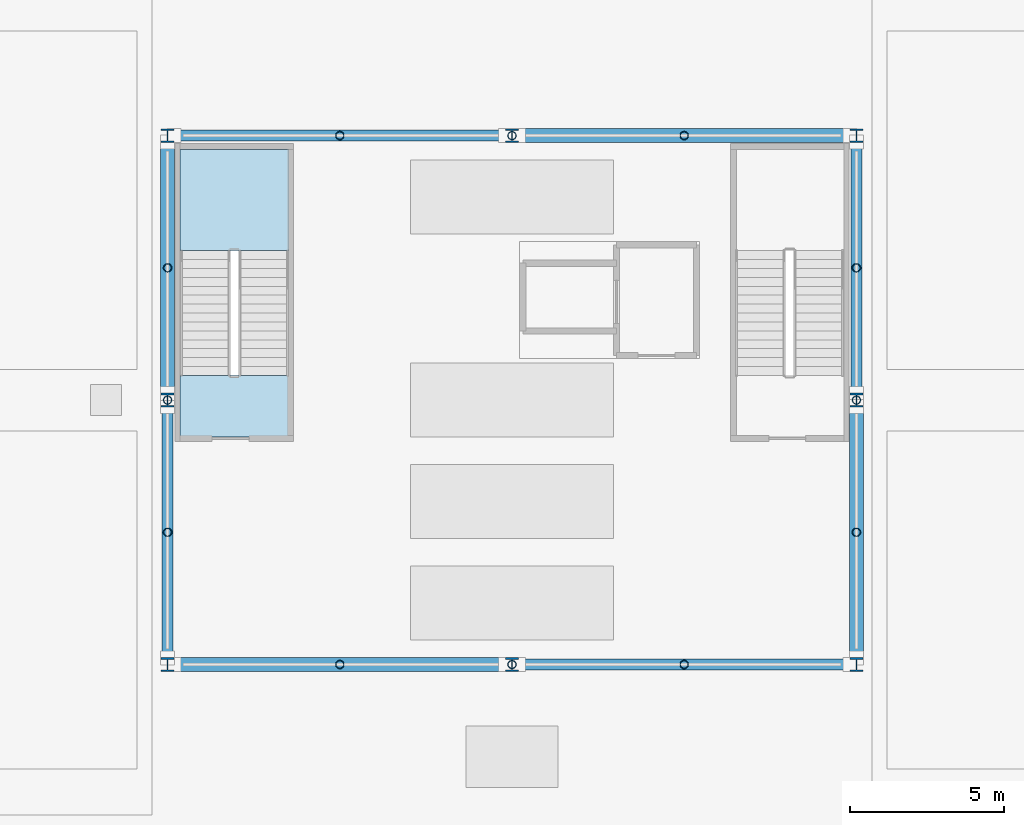
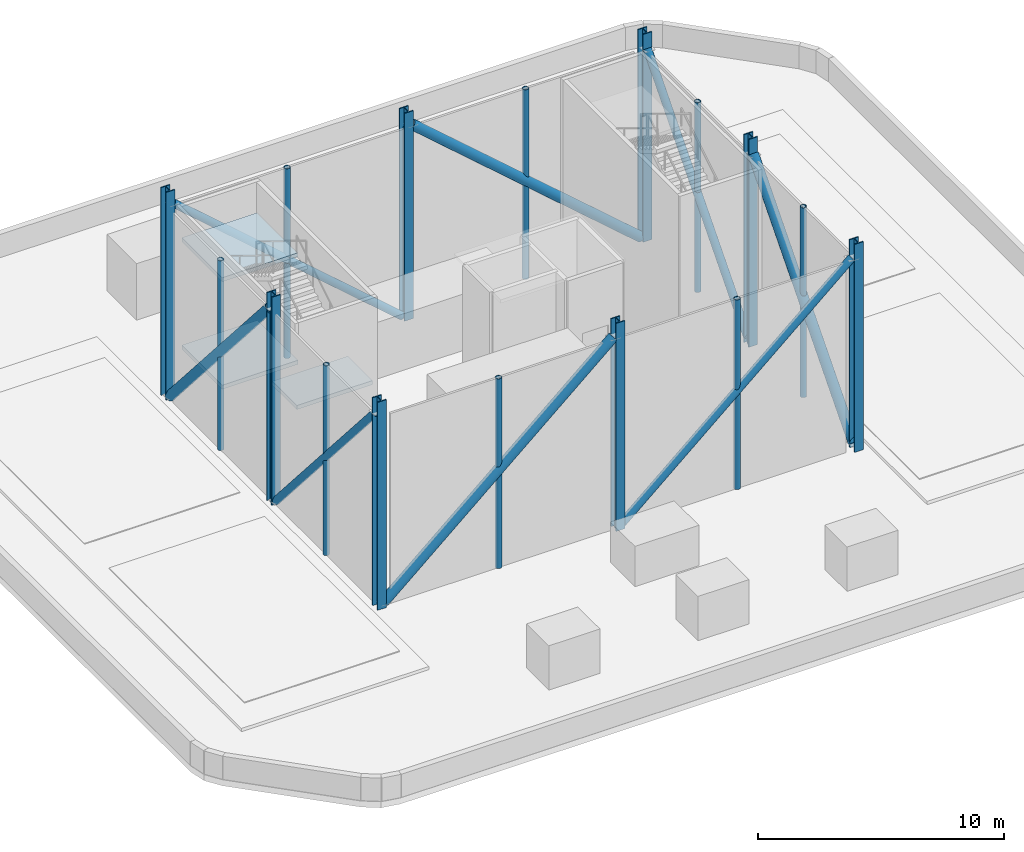
# One storey, part 1 of 6: 20 members, 8 columns, 3 slabs, 1 element without a shape of its own.
"""IFC4 building model written with IfcOpenShell, lengths in metres."""

from ifc_helpers import new_model, si_unit, derived_unit, direction, frame, origin, origin_2d, place, context, subcontext, project, spatial, polyline, hollow_circle, i_section, outline, extrude, material, layer, layer_set, material_profile, profile_set, type_object, element, aggregate, save


model = new_model("IFC4")

# Units and contexts
model_context = context("Model", 3, precision=1e-05, world=origin(), true_north=direction((0.0, 1.0)))
body_context = subcontext(model_context, "Body", "Model", "MODEL_VIEW")
ifc_project = project(units=[si_unit("LENGTHUNIT", "METRE"), si_unit("AREAUNIT", "SQUARE_METRE"), si_unit("VOLUMEUNIT", "CUBIC_METRE"), si_unit("PLANEANGLEUNIT", "RADIAN"), si_unit("MASSUNIT", "GRAM", prefix="KILO"), derived_unit("THERMALTRANSMITTANCEUNIT", [(si_unit("POWERUNIT", "WATT"), 1), (si_unit("LENGTHUNIT", "METRE"), -2), (si_unit("THERMODYNAMICTEMPERATUREUNIT", "KELVIN"), -1)])], contexts=[model_context])

# Site, building, storey
site_placement = place(None, origin())
site = spatial("IfcSite", under=ifc_project, at=site_placement, CompositionType="ELEMENT")
building_placement = place(site_placement, origin())
building = spatial("IfcBuilding", under=site, at=building_placement, Name="Koralith Skygarden Medical Center", CompositionType="ELEMENT")
storey_placement = place(building_placement, frame((0.0, 0.0, 298.97998046875)))
storey = spatial("IfcBuildingStorey", under=building, at=storey_placement, Name="RF", CompositionType="ELEMENT", Elevation=298.97998046875)

# Columns
ifc_material_1 = material(Name="Steel ASTM A992 Grade 50", Category="steel")
ifc_material_profile_1 = material_profile(ifc_material_1, i_section(OverallWidth=0.416015625, OverallDepth=0.446044921875, WebThickness=0.031982421875, FlangeThickness=0.052001953125, at=origin_2d()), Name="W14X342")
ifc_profile_set_1 = profile_set([ifc_material_profile_1], Name="Steel ASTM A992 Grade 50")
column_type = type_object("IfcColumnType", Name="Helipad Frame Column A992 W14X342", PredefinedType="COLUMN", material=ifc_profile_set_1)
for number, where, z_axis, x_axis, name in (
    (1, (25.800048828125, 17.300048828125, 0.0), (0.0, 0.0, 1.0), (1.0, 0.0, 0.0), "RF Core Column CC-01"),
    (2, (37.0, 17.300048828125, 0.0), (0.0, 0.0, 1.0), (1.0, 0.0, 0.0), "RF Core Column CC-02"),
    (3, (48.199951171875, 17.300048828125, 0.0), (0.0, 0.0, 1.0), (1.0, 0.0, 0.0), "RF Core Column CC-03"),
    (4, (48.199951171875, 25.89990234375, 0.0), (0.0, 0.0, 1.0), (1.0, 0.0, 0.0), "RF Core Column CC-04"),
    (5, (48.199951171875, 34.5, 0.0), (0.0, 0.0, 1.0), (1.0, 0.0, 0.0), "RF Core Column CC-05"),
    (6, (37.0, 34.5, 0.0), (0.0, 0.0, 1.0), (1.0, 0.0, 0.0), "RF Core Column CC-06"),
    (7, (25.800048828125, 34.5, 0.0), (0.0, 0.0, 1.0), (1.0, 0.0, 0.0), "RF Core Column CC-07"),
    (8, (25.800048828125, 25.89990234375, 0.0), (0.0, 0.0, 1.0), (1.0, 0.0, 0.0), "RF Core Column CC-08"),
):
    element("IfcColumn", number, at=place(storey_placement, frame(where, z_axis=z_axis, x_axis=x_axis)), inside=storey, type_object=column_type, Name=name, PredefinedType="COLUMN", context=body_context, shape_type="SweptSolid", body=[
        extrude(i_section(OverallWidth=0.416015625, OverallDepth=0.446044921875, WebThickness=0.031982421875, FlangeThickness=0.052001953125, at=origin_2d()), origin(), (0.0, 0.0, 1.0), 10.320068359375),
    ])

# Members
ifc_material_2 = material(Name="Steel ASTM A500 Grade C", Category="steel")
ifc_material_profile_2 = material_profile(ifc_material_2, hollow_circle(Radius=0.136474609375, WallThickness=0.013916015625, at=origin_2d()), Name="CHS273X14")
ifc_profile_set_2 = profile_set([ifc_material_profile_2], Name="Steel ASTM A500 Grade C")
member_type_1 = type_object("IfcMemberType", Name="Crown Screen Structural Post CHS273X14", PredefinedType="POST", material=ifc_profile_set_2)
for number, where, z_axis, x_axis, name in (
    (9, (31.39990234375, 17.300048828125, 0.0), (0.0, 0.0, 1.0), (1.0, 0.0, 0.0), "RF Crown Screen Post S-1"),
    (10, (37.0, 17.300048828125, 0.0), (0.0, 0.0, 1.0), (1.0, 0.0, 0.0), "RF Crown Screen Post S-2"),
    (11, (42.60009765625, 17.300048828125, 0.0), (0.0, 0.0, 1.0), (1.0, 0.0, 0.0), "RF Crown Screen Post S-3"),
    (12, (31.39990234375, 34.5, 0.0), (0.0, 0.0, 1.0), (1.0, 0.0, 0.0), "RF Crown Screen Post N-1"),
    (13, (37.0, 34.5, 0.0), (0.0, 0.0, 1.0), (1.0, 0.0, 0.0), "RF Crown Screen Post N-2"),
    (14, (42.60009765625, 34.5, 0.0), (0.0, 0.0, 1.0), (1.0, 0.0, 0.0), "RF Crown Screen Post N-3"),
    (15, (25.800048828125, 21.60009765625, 0.0), (0.0, 0.0, 1.0), (1.0, 0.0, 0.0), "RF Crown Screen Post W-1"),
    (16, (25.800048828125, 25.89990234375, 0.0), (0.0, 0.0, 1.0), (1.0, 0.0, 0.0), "RF Crown Screen Post W-2"),
    (17, (25.800048828125, 30.199951171875, 0.0), (0.0, 0.0, 1.0), (1.0, 0.0, 0.0), "RF Crown Screen Post W-3"),
    (18, (48.199951171875, 21.60009765625, 0.0), (0.0, 0.0, 1.0), (1.0, 0.0, 0.0), "RF Crown Screen Post E-1"),
    (19, (48.199951171875, 25.89990234375, 0.0), (0.0, 0.0, 1.0), (1.0, 0.0, 0.0), "RF Crown Screen Post E-2"),
    (20, (48.199951171875, 30.199951171875, 0.0), (0.0, 0.0, 1.0), (1.0, 0.0, 0.0), "RF Crown Screen Post E-3"),
):
    element("IfcMember", number, at=place(storey_placement, frame(where, z_axis=z_axis, x_axis=x_axis)), inside=storey, type_object=member_type_1, Name=name, PredefinedType="POST", context=body_context, shape_type="SweptSolid", body=[
        extrude(hollow_circle(Radius=0.136474609375, WallThickness=0.013916015625, at=origin_2d()), origin(), (0.0, 0.0, 1.0), 9.419921875),
    ])
ifc_material_profile_3 = material_profile(ifc_material_2, hollow_circle(Radius=0.228515625, WallThickness=0.02001953125, at=origin_2d()), Name="CHS457X20")
ifc_profile_set_3 = profile_set([ifc_material_profile_3], Name="Steel ASTM A500 Grade C")
member_type_2 = type_object("IfcMemberType", Name="Helipad Bracing Diagonal CHS457X20", PredefinedType="BRACE", material=ifc_profile_set_3)
member_1_placement = place(storey_placement, frame((26.010009765625, 17.300048828125, 0.14990234375), z_axis=(0.754010385714, 0.0, 0.656862495683), x_axis=(0.0, 1.0, 0.0)))
element("IfcMember", 21, at=member_1_placement, inside=storey, type_object=member_type_2, Name="Crown Frame Helipad Brace HBR-01", PredefinedType="BRACE", context=body_context, shape_type="SweptSolid", body=[
    extrude(hollow_circle(Radius=0.228515625, WallThickness=0.02001953125, at=origin_2d()), origin(), (0.0, 0.0, 1.0), 14.296875),
])
member_2_placement = place(storey_placement, frame((48.199951171875, 17.510009765625, 0.14990234375), z_axis=(0.0, 0.656806994206, 0.754058732701), x_axis=(-1.0, 0.0, 0.0)))
element("IfcMember", 22, at=member_2_placement, inside=storey, type_object=member_type_2, Name="Crown Frame Helipad Brace HBR-03", PredefinedType="BRACE", context=body_context, shape_type="SweptSolid", body=[
    extrude(hollow_circle(Radius=0.228515625, WallThickness=0.02001953125, at=origin_2d()), origin(), (0.0, 0.0, 1.0), 12.4541015625),
])
member_3_placement = place(storey_placement, frame((47.989990234375, 34.5, 0.14990234375), z_axis=(-0.754010385714, 0.0, 0.656862495683), x_axis=(0.0, -1.0, 0.0)))
element("IfcMember", 23, at=member_3_placement, inside=storey, type_object=member_type_2, Name="Crown Frame Helipad Brace HBR-05", PredefinedType="BRACE", context=body_context, shape_type="SweptSolid", body=[
    extrude(hollow_circle(Radius=0.228515625, WallThickness=0.02001953125, at=origin_2d()), origin(), (0.0, 0.0, 1.0), 14.296875),
])
member_4_placement = place(storey_placement, frame((25.800048828125, 34.2900390625, 0.14990234375), z_axis=(0.0, -0.656806994206, 0.754058732701), x_axis=(1.0, 0.0, 0.0)))
element("IfcMember", 24, at=member_4_placement, inside=storey, type_object=member_type_2, Name="Crown Frame Helipad Brace HBR-07", PredefinedType="BRACE", context=body_context, shape_type="SweptSolid", body=[
    extrude(hollow_circle(Radius=0.228515625, WallThickness=0.02001953125, at=origin_2d()), origin(), (0.0, 0.0, 1.0), 12.4541015625),
])
ifc_material_profile_4 = material_profile(ifc_material_2, hollow_circle(Radius=0.177978515625, WallThickness=0.01611328125, at=origin_2d()), Name="CHS356X16")
ifc_profile_set_4 = profile_set([ifc_material_profile_4], Name="Steel ASTM A500 Grade C")
member_type_3 = type_object("IfcMemberType", Name="Helipad Frame Strut CHS356X16", PredefinedType="BRACE", material=ifc_profile_set_4)
member_5_placement = place(storey_placement, frame((37.2099609375, 17.300048828125, 0.14990234375), z_axis=(0.754010385714, 0.0, 0.656862495683), x_axis=(0.0, 1.0, 0.0)))
element("IfcMember", 25, at=member_5_placement, inside=storey, type_object=member_type_3, Name="Crown Frame Helipad Brace HBR-02", PredefinedType="BRACE", context=body_context, shape_type="SweptSolid", body=[
    extrude(hollow_circle(Radius=0.177978515625, WallThickness=0.01611328125, at=origin_2d()), origin(), (0.0, 0.0, 1.0), 14.296875),
])
member_6_placement = place(storey_placement, frame((48.199951171875, 26.110107421875, 0.14990234375), z_axis=(0.0, 0.656806994206, 0.754058732701), x_axis=(-1.0, 0.0, 0.0)))
element("IfcMember", 26, at=member_6_placement, inside=storey, type_object=member_type_3, Name="Crown Frame Helipad Brace HBR-04", PredefinedType="BRACE", context=body_context, shape_type="SweptSolid", body=[
    extrude(hollow_circle(Radius=0.177978515625, WallThickness=0.01611328125, at=origin_2d()), origin(), (0.0, 0.0, 1.0), 12.4541015625),
])
member_7_placement = place(storey_placement, frame((36.7900390625, 34.5, 0.14990234375), z_axis=(-0.754010385714, 0.0, 0.656862495683), x_axis=(0.0, -1.0, 0.0)))
element("IfcMember", 27, at=member_7_placement, inside=storey, type_object=member_type_3, Name="Crown Frame Helipad Brace HBR-06", PredefinedType="BRACE", context=body_context, shape_type="SweptSolid", body=[
    extrude(hollow_circle(Radius=0.177978515625, WallThickness=0.01611328125, at=origin_2d()), origin(), (0.0, 0.0, 1.0), 14.296875),
])
member_8_placement = place(storey_placement, frame((25.800048828125, 25.68994140625, 0.14990234375), z_axis=(0.0, -0.656806994206, 0.754058732701), x_axis=(1.0, 0.0, 0.0)))
element("IfcMember", 28, at=member_8_placement, inside=storey, type_object=member_type_3, Name="Crown Frame Helipad Brace HBR-08", PredefinedType="BRACE", context=body_context, shape_type="SweptSolid", body=[
    extrude(hollow_circle(Radius=0.177978515625, WallThickness=0.01611328125, at=origin_2d()), origin(), (0.0, 0.0, 1.0), 12.4541015625),
])

# Stair, slabs
ifc_material_3 = material(Name="Concrete C45/55", Category="concrete")
stair_type = type_object("IfcStairType", Name="Core Exit Dogleg Concrete Stair", PredefinedType="HALF_TURN_STAIR", material=ifc_material_3)
stair_placement = place(storey_placement, origin())
stair = element("IfcStair", 29, at=stair_placement, inside=storey, type_object=stair_type, Name="RF Smokeproof Exit Stair ST1", PredefinedType="HALF_TURN_STAIR")
ifc_layer = layer(ifc_material_3, 0.199951171875)
ifc_layer_set = layer_set([ifc_layer], Name="Concrete C45/55")
slab_type = type_object("IfcSlabType", Name="Core Exit Concrete Stair Landing 200", PredefinedType="LANDING", material=ifc_layer_set)
slab_1_placement = place(storey_placement, frame((0.0, 0.0, 2.467529296875)))
slab_1 = element("IfcSlab", 30, at=slab_1_placement, type_object=slab_type, Name="ST1 landing 1", PredefinedType="LANDING", context=body_context, shape_type="SweptSolid", body=[
    extrude(outline(polyline([(29.75, 30.760009765625), (29.75, 34.050048828125), (26.199951171875, 34.050048828125), (26.199951171875, 30.760009765625), (29.75, 30.760009765625)])), origin(), (0.0, 0.0, 1.0), 0.199951171875),
])
slab_2_placement = place(storey_placement, frame((0.0, 0.0, 5.135009765625)))
slab_2 = element("IfcSlab", 31, at=slab_2_placement, type_object=slab_type, Name="ST1 landing 2", PredefinedType="LANDING", context=body_context, shape_type="SweptSolid", body=[
    extrude(outline(polyline([(29.75, 24.699951171875), (29.75, 26.699951171875), (26.199951171875, 26.699951171875), (26.199951171875, 24.699951171875), (29.75, 24.699951171875)])), origin(), (0.0, 0.0, 1.0), 0.199951171875),
])
slab_3_placement = place(storey_placement, frame((0.0, 0.0, 7.802490234375)))
slab_3 = element("IfcSlab", 32, at=slab_3_placement, type_object=slab_type, Name="ST1 landing 3", PredefinedType="LANDING", context=body_context, shape_type="SweptSolid", body=[
    extrude(outline(polyline([(29.75, 30.760009765625), (29.75, 34.050048828125), (26.199951171875, 34.050048828125), (26.199951171875, 30.760009765625), (29.75, 30.760009765625)])), origin(), (0.0, 0.0, 1.0), 0.199951171875),
])
aggregate(stair, [slab_1, slab_2, slab_3])

save(model, "model.ifc")
